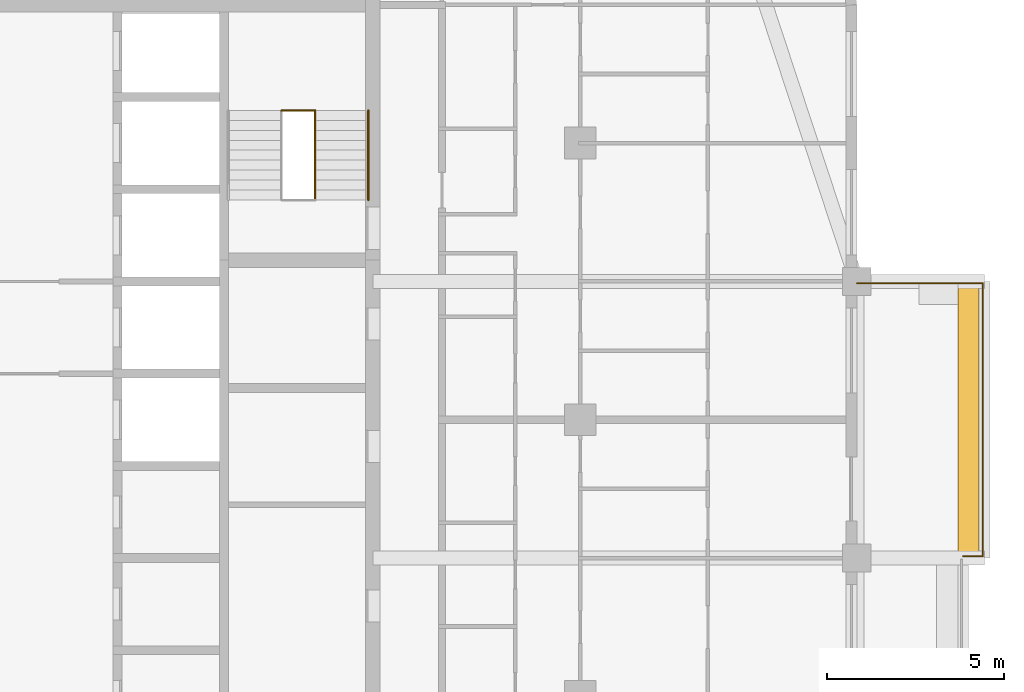
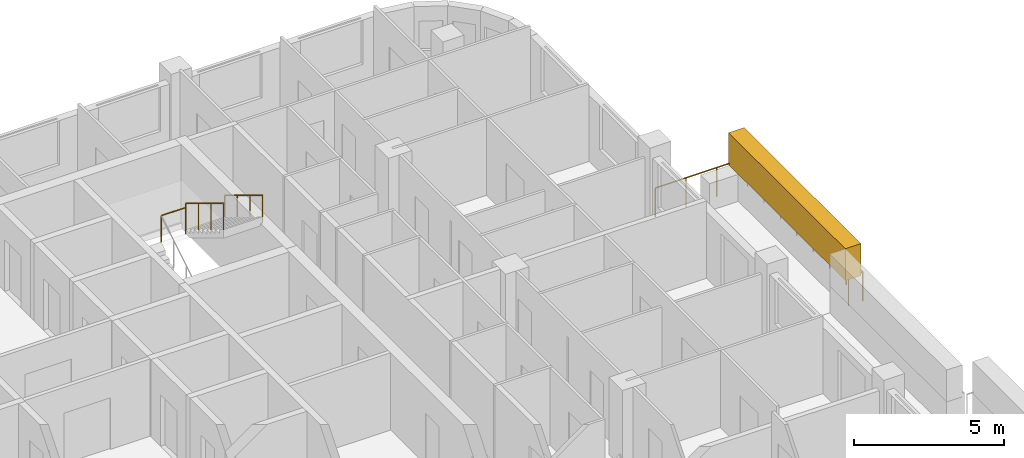
# One storey, part 16 of 16: 4 railings, 1 covering, 1 element without a shape of its own.
"""IFC4 building model written with IfcOpenShell, lengths in metres."""

from ifc_helpers import new_model, si_unit, direction, frame, origin, origin_2d, place, context, subcontext, project, spatial, rectangle, circle, extrude, material, layer, layer_set, type_object, element, aggregate, save


model = new_model("IFC4")

# Units and contexts
model_context = context("Model", 3, precision=1e-05, world=origin(), true_north=direction((0.0, 1.0)))
body_context = subcontext(model_context, "Body", "Model", "MODEL_VIEW")
ifc_project = project(units=[si_unit("LENGTHUNIT", "METRE"), si_unit("AREAUNIT", "SQUARE_METRE"), si_unit("VOLUMEUNIT", "CUBIC_METRE"), si_unit("PLANEANGLEUNIT", "RADIAN"), si_unit("MASSUNIT", "GRAM", prefix="KILO")], contexts=[model_context])

# Site, building, storey
site_placement = place(None, origin())
site = spatial("IfcSite", under=ifc_project, at=site_placement, CompositionType="ELEMENT")
building_placement = place(site_placement, origin())
building = spatial("IfcBuilding", under=site, at=building_placement, Name="Ludao Terraces", CompositionType="ELEMENT")
storey_placement = place(building_placement, frame((0.0, 0.0, 204.10009765625)))
storey = spatial("IfcBuildingStorey", under=building, at=storey_placement, Name="L55", CompositionType="ELEMENT", Elevation=204.10009765625)

# Railing
ifc_material_1 = material(Name="Stainless steel 304", Category="steel")
railing_type_1 = type_object("IfcRailingType", Name="ENV Balcony glass guard 1200", PredefinedType="GUARDRAIL", material=ifc_material_1)
railing_1_placement = place(storey_placement, frame((111.39990234375, 68.949951171875, 0.0)))
element("IfcRailing", 1, at=railing_1_placement, inside=storey, type_object=railing_type_1, Name="Balcony guard L55 E3", PredefinedType="GUARDRAIL", context=body_context, shape_type="SweptSolid", body=[
    extrude(circle(Radius=0.02392578125, at=origin_2d()), frame((0.0, 0.0, 1.17578125), z_axis=(1.0, 0.0, 0.0), x_axis=(0.0, 1.0, 0.0)), (0.0, 0.0, 1.0), 0.550048828125),
    extrude(circle(Radius=0.02392578125, at=origin_2d()), frame((0.550048828125, 0.0, 1.17578125), z_axis=(0.0, 1.0, 0.0), x_axis=(-1.0, 0.0, 0.0)), (0.0, 0.0, 1.0), 7.699951171875),
    extrude(circle(Radius=0.02392578125, at=origin_2d()), frame((0.550048828125, 7.699951171875, 1.17578125), z_axis=(-1.0, 0.0, 0.0), x_axis=(0.0, -1.0, 0.0)), (0.0, 0.0, 1.0), 3.550048828125),
    extrude(circle(Radius=0.02099609375, at=origin_2d()), origin(), (0.0, 0.0, 1.0), 1.15185546875),
    extrude(circle(Radius=0.02099609375, at=origin_2d()), frame((0.550048828125, 0.0, 0.0)), (0.0, 0.0, 1.0), 1.15185546875),
    extrude(circle(Radius=0.02099609375, at=origin_2d()), frame((0.550048828125, 1.10009765625, 0.0)), (0.0, 0.0, 1.0), 1.15185546875),
    extrude(circle(Radius=0.02099609375, at=origin_2d()), frame((0.550048828125, 2.199951171875, 0.0)), (0.0, 0.0, 1.0), 1.15185546875),
    extrude(circle(Radius=0.02099609375, at=origin_2d()), frame((0.550048828125, 3.300048828125, 0.0)), (0.0, 0.0, 1.0), 1.15185546875),
    extrude(circle(Radius=0.02099609375, at=origin_2d()), frame((0.550048828125, 4.39990234375, 0.0)), (0.0, 0.0, 1.0), 1.15185546875),
    extrude(circle(Radius=0.02099609375, at=origin_2d()), frame((0.550048828125, 5.5, 0.0)), (0.0, 0.0, 1.0), 1.15185546875),
    extrude(circle(Radius=0.02099609375, at=origin_2d()), frame((0.550048828125, 6.599853515625, 0.0)), (0.0, 0.0, 1.0), 1.15185546875),
    extrude(circle(Radius=0.02099609375, at=origin_2d()), frame((0.550048828125, 7.699951171875, 0.0)), (0.0, 0.0, 1.0), 1.15185546875),
    extrude(circle(Radius=0.02099609375, at=origin_2d()), frame((-0.63330078125, 7.699951171875, 0.0)), (0.0, 0.0, 1.0), 1.15185546875),
    extrude(circle(Radius=0.02099609375, at=origin_2d()), frame((-1.816650390625, 7.699951171875, 0.0)), (0.0, 0.0, 1.0), 1.15185546875),
    extrude(circle(Radius=0.02099609375, at=origin_2d()), frame((-3.0, 7.699951171875, 0.0)), (0.0, 0.0, 1.0), 1.15185546875),
])

# Covering
ifc_material_2 = material(Name="Planting")
ifc_layer = layer(ifc_material_2, 0.60009765625)
ifc_layer_set = layer_set([ifc_layer], Name="ENV Planting hedge 600x1300")
covering_type = type_object("IfcCoveringType", Name="ENV Planting hedge 600x1300", PredefinedType="USERDEFINED", material=ifc_layer_set)
covering_placement = place(storey_placement, frame((111.550048828125, 72.800048828125, 1.10009765625), z_axis=(0.0, 0.0, 1.0), x_axis=(1.0, 0.0, 0.0)))
element("IfcCovering", 2, at=covering_placement, inside=storey, type_object=covering_type, Name="Planting hedge L55-E3", ObjectType="PLANTING", PredefinedType="USERDEFINED", context=body_context, shape_type="SweptSolid", body=[
    extrude(rectangle(XDim=0.60009765625, YDim=7.800048828125, at=origin_2d()), origin(), (0.0, 0.0, 1.0), 1.300048828125),
])

# Stair, railings
ifc_material_3 = material(Name="Concrete C40", Category="concrete")
stair_type = type_object("IfcStairType", Name="INT Stair", PredefinedType="HALF_TURN_STAIR", material=ifc_material_3)
stair_placement = place(storey_placement, origin())
stair = element("IfcStair", 3, at=stair_placement, inside=storey, type_object=stair_type, Name="EXIT STAIR 2", PredefinedType="HALF_TURN_STAIR")
railing_type_2 = type_object("IfcRailingType", Name="INT Stair guard 1100", PredefinedType="GUARDRAIL", material=ifc_material_1)
railing_2_placement = place(storey_placement, frame((93.125, 81.52001953125, 1.869873046875)))
railing_2 = element("IfcRailing", 4, at=railing_2_placement, type_object=railing_type_2, Name="ST-L55-S2-R2G", PredefinedType="GUARDRAIL", context=body_context, shape_type="SweptSolid", body=[
    extrude(circle(Radius=0.02392578125, at=origin_2d()), frame((0.0, 0.0, 1.076171875), z_axis=(0.0, -0.85478489116, 0.518982456201), x_axis=(1.0, 0.0, 0.0)), (0.0, 0.0, 1.0), 2.9482421875),
    extrude(circle(Radius=0.02099609375, at=origin_2d()), origin(), (0.0, 0.0, 1.0), 1.052001953125),
    extrude(circle(Radius=0.02099609375, at=origin_2d()), frame((0.0, -0.840087890625, 0.510009765625)), (0.0, 0.0, 1.0), 1.052001953125),
    extrude(circle(Radius=0.02099609375, at=origin_2d()), frame((0.0, -1.679931640625, 1.02001953125)), (0.0, 0.0, 1.0), 1.052001953125),
    extrude(circle(Radius=0.02099609375, at=origin_2d()), frame((0.0, -2.52001953125, 1.530029296875)), (0.0, 0.0, 1.0), 1.052001953125),
])
railing_3_placement = place(storey_placement, frame((92.175048828125, 81.52001953125, 1.699951171875)))
railing_3 = element("IfcRailing", 5, at=railing_3_placement, type_object=railing_type_2, Name="ST-L55-S2-E1G", PredefinedType="GUARDRAIL", context=body_context, shape_type="SweptSolid", body=[
    extrude(circle(Radius=0.02392578125, at=origin_2d()), frame((0.0, 0.0, 1.076171875), z_axis=(1.0, 0.0, 0.0), x_axis=(0.0, 1.0, 0.0)), (0.0, 0.0, 1.0), 0.949951171875),
    extrude(circle(Radius=0.02099609375, at=origin_2d()), origin(), (0.0, 0.0, 1.0), 1.052001953125),
    extrude(circle(Radius=0.02099609375, at=origin_2d()), frame((0.949951171875, 0.0, 0.0)), (0.0, 0.0, 1.0), 1.052001953125),
])
railing_type_3 = type_object("IfcRailingType", Name="INT Stair handrail 900", PredefinedType="HANDRAIL", material=ifc_material_1)
railing_4_placement = place(storey_placement, frame((94.625, 81.52001953125, 1.869873046875)))
railing_4 = element("IfcRailing", 6, at=railing_4_placement, type_object=railing_type_3, Name="ST-L55-S2-R2H", PredefinedType="HANDRAIL", context=body_context, shape_type="SweptSolid", body=[
    extrude(circle(Radius=0.02392578125, at=origin_2d()), frame((0.0, 0.0, 0.8759765625), z_axis=(0.0, -0.85478489116, 0.518982456201), x_axis=(1.0, 0.0, 0.0)), (0.0, 0.0, 1.0), 2.9482421875),
    extrude(circle(Radius=0.02099609375, at=origin_2d()), origin(), (0.0, 0.0, 1.0), 0.851806640625),
    extrude(circle(Radius=0.02099609375, at=origin_2d()), frame((0.0, -0.840087890625, 0.510009765625)), (0.0, 0.0, 1.0), 0.851806640625),
    extrude(circle(Radius=0.02099609375, at=origin_2d()), frame((0.0, -1.679931640625, 1.02001953125)), (0.0, 0.0, 1.0), 0.851806640625),
    extrude(circle(Radius=0.02099609375, at=origin_2d()), frame((0.0, -2.52001953125, 1.530029296875)), (0.0, 0.0, 1.0), 0.851806640625),
])
aggregate(stair, [railing_2, railing_4, railing_3])

save(model, "model.ifc")
